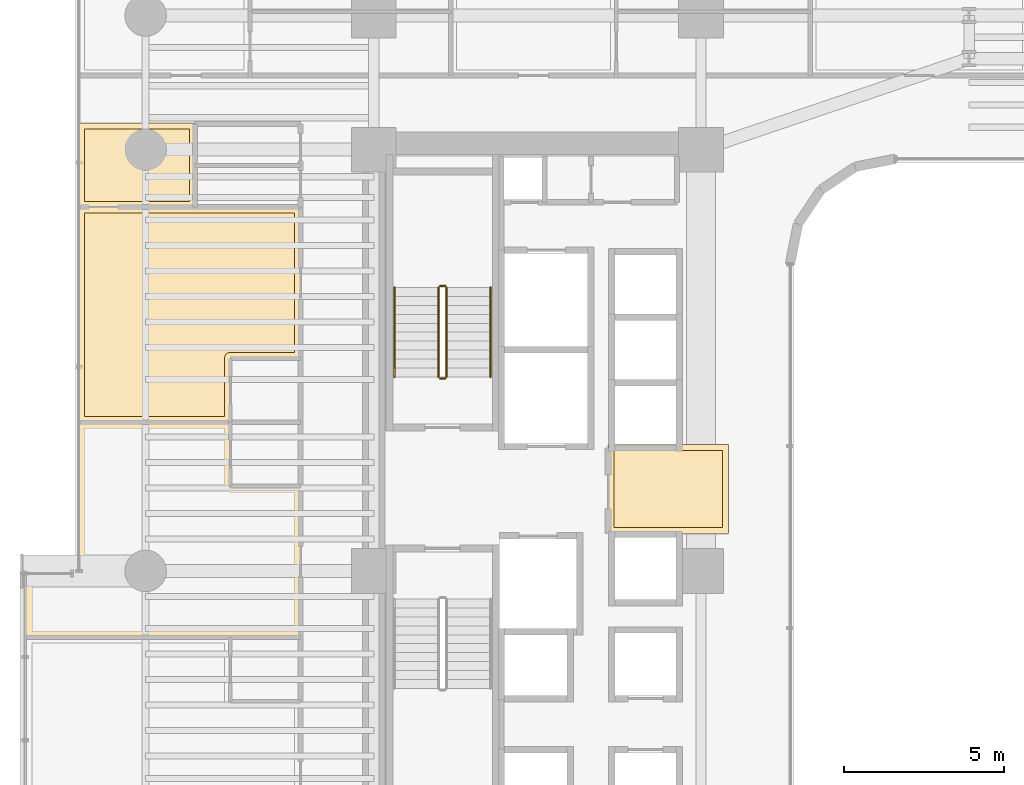
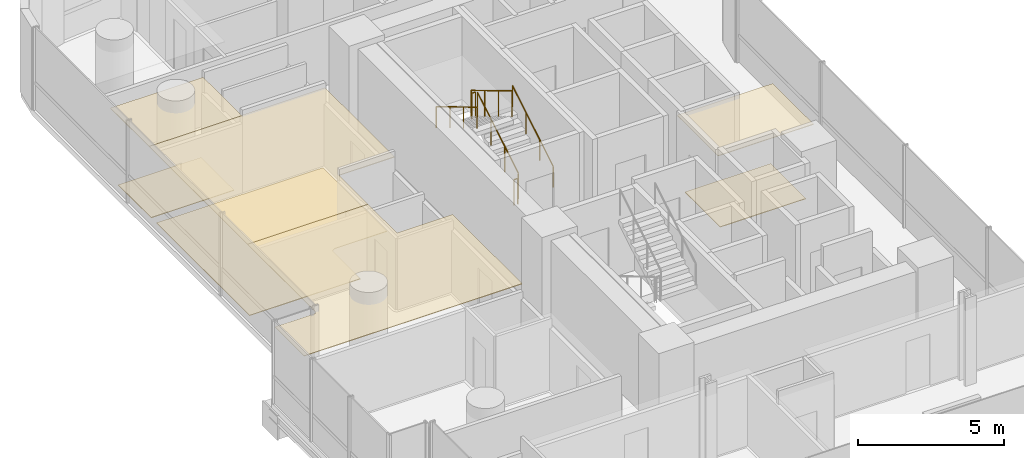
# One storey, part 37 of 41: 7 coverings, 6 railings.
"""IFC4 building model written with IfcOpenShell, lengths in metres."""

from ifc_helpers import new_model, si_unit, direction, frame, origin, origin_2d, place, context, subcontext, project, spatial, polyline, circle, outline, extrude, material, layer, layer_set, type_object, element, save


model = new_model("IFC4")

# Units and contexts
model_context = context("Model", 3, precision=1e-05, world=origin(), true_north=direction((0.0, 1.0)))
body_context = subcontext(model_context, "Body", "Model", "MODEL_VIEW")
ifc_project = project(units=[si_unit("LENGTHUNIT", "METRE"), si_unit("AREAUNIT", "SQUARE_METRE"), si_unit("VOLUMEUNIT", "CUBIC_METRE"), si_unit("PLANEANGLEUNIT", "RADIAN"), si_unit("MASSUNIT", "GRAM", prefix="KILO")], contexts=[model_context])

# Site, building, storey
site_placement = place(None, origin())
site = spatial("IfcSite", under=ifc_project, at=site_placement, CompositionType="ELEMENT")
building_placement = place(site_placement, origin())
building = spatial("IfcBuilding", under=site, at=building_placement, Name="Valdorenza Pilgrim Sanctuary Tower", CompositionType="ELEMENT")
storey_placement = place(building_placement, frame((0.0, 0.0, 59.300048828125)))
storey = spatial("IfcBuildingStorey", under=building, at=storey_placement, Name="L14", CompositionType="ELEMENT", Elevation=59.300048828125)

# Coverings
ifc_material_1 = material(Name="Micro-perforated acoustic mineral ceiling tile", Category="gypsum")
ifc_layer_1 = layer(ifc_material_1, 0.02490234375, Name="Micro-perforated acoustic mineral ceiling tile")
ifc_layer_set_1 = layer_set([ifc_layer_1], Name="Micro-perforated acoustic mineral ceiling tile")
covering_type_1 = type_object("IfcCoveringType", Name="COV-CLG-ACU", PredefinedType="CEILING", material=ifc_layer_set_1)
covering_1_placement = place(storey_placement, frame((0.0, 0.0, 3.159912109375)))
element("IfcCovering", 1, at=covering_1_placement, inside=storey, type_object=covering_type_1, Name="L14 Core A Passenger Lift Lobby Acoustic Ceiling", PredefinedType="CEILING", context=body_context, shape_type="SweptSolid", body=[
    extrude(outline(polyline([(-15.31298828125, 1.244384765625), (-15.31298828125, 1.24462890625), (-15.313720703125, 1.24609375), (-15.314208984375, 1.24755859375), (-15.314697265625, 1.2490234375), (-15.31494140625, 1.25048828125), (-15.31494140625, 1.251953125), (-15.31494140625, 1.35009765625), (-15.31494140625, 1.3515625), (-15.314697265625, 1.352783203125), (-15.314453125, 1.3544921875), (-15.31396484375, 1.355712890625), (-15.313232421875, 1.357177734375), (-15.3125, 1.3583984375), (-15.3115234375, 1.359619140625), (-15.310546875, 1.360595703125), (-15.3095703125, 1.361572265625), (-15.308349609375, 1.362548828125), (-15.30712890625, 1.36328125), (-15.3056640625, 1.364013671875), (-15.304443359375, 1.364501953125), (-15.302978515625, 1.36474609375), (-15.301513671875, 1.364990234375), (-15.300048828125, 1.364990234375), (-15.10205078125, 1.364990234375), (-15.1005859375, 1.364990234375), (-15.09912109375, 1.36474609375), (-15.097412109375, 1.3642578125), (-15.09619140625, 1.36376953125), (-15.0947265625, 1.363037109375), (-15.094482421875, 1.363037109375), (-13.185546875, 1.363037109375), (-13.185302734375, 1.363037109375), (-13.183837890625, 1.36376953125), (-13.1826171875, 1.3642578125), (-13.180908203125, 1.36474609375), (-13.179443359375, 1.364990234375), (-13.177978515625, 1.364990234375), (-11.550048828125, 1.364990234375), (-11.548583984375, 1.364990234375), (-11.547119140625, 1.36474609375), (-11.545654296875, 1.364501953125), (-11.544189453125, 1.364013671875), (-11.54296875, 1.36328125), (-11.541748046875, 1.362548828125), (-11.54052734375, 1.361572265625), (-11.539306640625, 1.360595703125), (-11.538330078125, 1.359619140625), (-11.53759765625, 1.3583984375), (-11.536865234375, 1.357177734375), (-11.5361328125, 1.355712890625), (-11.53564453125, 1.3544921875), (-11.535400390625, 1.352783203125), (-11.53515625, 1.3515625), (-11.534912109375, 1.35009765625), (-11.534912109375, -1.419921875), (-11.53515625, -1.42138671875), (-11.535400390625, -1.4228515625), (-11.53564453125, -1.42431640625), (-11.5361328125, -1.42578125), (-11.536865234375, -1.427001953125), (-11.53759765625, -1.42822265625), (-11.538330078125, -1.429443359375), (-11.539306640625, -1.4306640625), (-11.54052734375, -1.431640625), (-11.541748046875, -1.4326171875), (-11.54296875, -1.43310546875), (-11.544189453125, -1.433837890625), (-11.545654296875, -1.434326171875), (-11.547119140625, -1.434814453125), (-11.548583984375, -1.434814453125), (-11.550048828125, -1.43505859375), (-15.298095703125, -1.43505859375), (-15.299560546875, -1.434814453125), (-15.30078125, -1.434814453125), (-15.302490234375, -1.434326171875), (-15.3037109375, -1.433837890625), (-15.30517578125, -1.43310546875), (-15.306396484375, -1.4326171875), (-15.3076171875, -1.431640625), (-15.30859375, -1.4306640625), (-15.3095703125, -1.429443359375), (-15.310546875, -1.42822265625), (-15.311279296875, -1.427001953125), (-15.31201171875, -1.42578125), (-15.3125, -1.42431640625), (-15.312744140625, -1.4228515625), (-15.31298828125, -1.42138671875), (-15.31298828125, -1.419921875), (-15.31298828125, 1.244384765625)])), origin(), (0.0, 0.0, 1.0), 0.025146484375),
])
covering_2_placement = place(storey_placement, frame((0.0, 0.0, 3.159912109375)))
element("IfcCovering", 2, at=covering_2_placement, inside=storey, type_object=covering_type_1, Name="L14 Pilgrim Scholar Office L14-WN Acoustic Ceiling", PredefinedType="CEILING", context=body_context, shape_type="SweptSolid", body=[
    extrude(outline(polyline([(-28.237060546875, 11.39453125), (-28.237060546875, 10.103759765625), (-28.23681640625, 10.10302734375), (-28.23681640625, 10.1015625), (-28.23681640625, 10.10009765625), (-28.23681640625, 10.098388671875), (-28.237060546875, 10.09814453125), (-28.237060546875, 8.800048828125), (-28.237060546875, 8.798583984375), (-28.2373046875, 8.797119140625), (-28.237548828125, 8.795654296875), (-28.238037109375, 8.794189453125), (-28.23876953125, 8.79296875), (-28.239501953125, 8.791748046875), (-28.240478515625, 8.79052734375), (-28.241455078125, 8.789306640625), (-28.242431640625, 8.788330078125), (-28.24365234375, 8.78759765625), (-28.244873046875, 8.786865234375), (-28.246337890625, 8.7861328125), (-28.24755859375, 8.78564453125), (-28.2490234375, 8.785400390625), (-28.25048828125, 8.78515625), (-28.251953125, 8.784912109375), (-31.889892578125, 8.784912109375), (-31.8916015625, 8.78515625), (-31.892822265625, 8.785400390625), (-31.894287109375, 8.78564453125), (-31.895751953125, 8.7861328125), (-31.897216796875, 8.786865234375), (-31.898193359375, 8.78759765625), (-31.8994140625, 8.788330078125), (-31.900634765625, 8.789306640625), (-31.901611328125, 8.79052734375), (-31.902587890625, 8.791748046875), (-31.9033203125, 8.79296875), (-31.90380859375, 8.794189453125), (-31.904296875, 8.795654296875), (-31.90478515625, 8.797119140625), (-31.90478515625, 8.798583984375), (-31.905029296875, 8.800048828125), (-31.905029296875, 11.419921875), (-31.90478515625, 11.42138671875), (-31.90478515625, 11.4228515625), (-31.904296875, 11.42431640625), (-31.90380859375, 11.42578125), (-31.9033203125, 11.427001953125), (-31.902587890625, 11.42822265625), (-31.901611328125, 11.429443359375), (-31.900634765625, 11.4306640625), (-31.8994140625, 11.431640625), (-31.898193359375, 11.4326171875), (-31.897216796875, 11.43310546875), (-31.895751953125, 11.433837890625), (-31.894287109375, 11.434326171875), (-31.892822265625, 11.434814453125), (-31.8916015625, 11.434814453125), (-31.889892578125, 11.43505859375), (-28.25, 11.43505859375), (-28.24853515625, 11.434814453125), (-28.2470703125, 11.434814453125), (-28.24560546875, 11.434326171875), (-28.244384765625, 11.433837890625), (-28.242919921875, 11.43310546875), (-28.24169921875, 11.4326171875), (-28.240478515625, 11.431640625), (-28.239501953125, 11.4306640625), (-28.23828125, 11.429443359375), (-28.237548828125, 11.42822265625), (-28.23681640625, 11.427001953125), (-28.236083984375, 11.42578125), (-28.235595703125, 11.42431640625), (-28.2353515625, 11.4228515625), (-28.235107421875, 11.42138671875), (-28.235107421875, 11.419921875), (-28.235107421875, 11.402099609375), (-28.235107421875, 11.400390625), (-28.2353515625, 11.39892578125), (-28.235595703125, 11.3974609375), (-28.236083984375, 11.39599609375), (-28.23681640625, 11.394775390625), (-28.237060546875, 11.39453125)])), origin(), (0.0, 0.0, 1.0), 0.025146484375),
])
covering_3_placement = place(storey_placement, frame((0.0, 0.0, 3.159912109375)))
element("IfcCovering", 3, at=covering_3_placement, inside=storey, type_object=covering_type_1, Name="L14 Sanctuary Guest Room L14-W2 Acoustic Ceiling", PredefinedType="CEILING", context=body_context, shape_type="SweptSolid", body=[
    extrude(outline(polyline([(-33.554931640625, -2.7099609375), (-33.554931640625, -2.70849609375), (-33.5546875, -2.70703125), (-33.554443359375, -2.70556640625), (-33.553955078125, -2.704345703125), (-33.55322265625, -2.702880859375), (-33.552490234375, -2.70166015625), (-33.551513671875, -2.700439453125), (-33.550537109375, -2.699462890625), (-33.549560546875, -2.698486328125), (-33.54833984375, -2.697509765625), (-33.547119140625, -2.69677734375), (-33.545654296875, -2.696044921875), (-33.54443359375, -2.695556640625), (-33.54296875, -2.6953125), (-33.54150390625, -2.695068359375), (-33.5400390625, -2.695068359375), (-32.00048828125, -2.695068359375), (-31.99072265625, -2.694580078125), (-31.9814453125, -2.693115234375), (-31.972412109375, -2.69091796875), (-31.963623046875, -2.687744140625), (-31.955078125, -2.683837890625), (-31.947265625, -2.678955078125), (-31.939697265625, -2.67333984375), (-31.932861328125, -2.667236328125), (-31.926513671875, -2.660400390625), (-31.9208984375, -2.65283203125), (-31.916259765625, -2.644775390625), (-31.912109375, -2.63623046875), (-31.9091796875, -2.627685546875), (-31.90673828125, -2.618408203125), (-31.905517578125, -2.609375), (-31.905029296875, -2.599609375), (-31.905029296875, 2.06005859375), (-31.90478515625, 2.0615234375), (-31.90478515625, 2.06298828125), (-31.904296875, 2.064453125), (-31.90380859375, 2.065673828125), (-31.9033203125, 2.067138671875), (-31.902587890625, 2.068359375), (-31.901611328125, 2.069580078125), (-31.900634765625, 2.070556640625), (-31.8994140625, 2.071533203125), (-31.898193359375, 2.072509765625), (-31.897216796875, 2.0732421875), (-31.895751953125, 2.073974609375), (-31.894287109375, 2.074462890625), (-31.892822265625, 2.07470703125), (-31.8916015625, 2.074951171875), (-31.889892578125, 2.074951171875), (-27.152099609375, 2.074951171875), (-27.150390625, 2.074951171875), (-27.149169921875, 2.07470703125), (-27.147705078125, 2.074462890625), (-27.146240234375, 2.073974609375), (-27.14501953125, 2.0732421875), (-27.143798828125, 2.072509765625), (-27.142578125, 2.071533203125), (-27.141357421875, 2.070556640625), (-27.140380859375, 2.069580078125), (-27.139404296875, 2.068359375), (-27.138916015625, 2.067138671875), (-27.13818359375, 2.065673828125), (-27.1376953125, 2.064453125), (-27.13720703125, 2.06298828125), (-27.13720703125, 2.0615234375), (-27.136962890625, 2.06005859375), (-27.136962890625, 0.072998046875), (-24.949951171875, 0.072998046875), (-24.948486328125, 0.072998046875), (-24.947021484375, 0.07275390625), (-24.945556640625, 0.072509765625), (-24.9443359375, 0.072021484375), (-24.94287109375, 0.0712890625), (-24.941650390625, 0.070556640625), (-24.9404296875, 0.069580078125), (-24.939453125, 0.068603515625), (-24.9384765625, 0.0673828125), (-24.9375, 0.06640625), (-24.936767578125, 0.065185546875), (-24.93603515625, 0.063720703125), (-24.935546875, 0.0625), (-24.935302734375, 0.060791015625), (-24.93505859375, 0.0595703125), (-24.93505859375, 0.05810546875), (-24.93505859375, -4.677978515625), (-24.93505859375, -4.679443359375), (-24.935302734375, -4.680908203125), (-24.935546875, -4.682373046875), (-24.93603515625, -4.68359375), (-24.936767578125, -4.68505859375), (-24.9375, -4.686279296875), (-24.9384765625, -4.6875), (-24.939453125, -4.688720703125), (-24.9404296875, -4.689697265625), (-24.941650390625, -4.6904296875), (-24.94287109375, -4.691162109375), (-24.9443359375, -4.69189453125), (-24.945556640625, -4.6923828125), (-24.947021484375, -4.692626953125), (-24.948486328125, -4.69287109375), (-24.949951171875, -4.693115234375), (-27.148193359375, -4.693115234375), (-27.14892578125, -4.693115234375), (-27.150390625, -4.693359375), (-27.152099609375, -4.693115234375), (-27.153564453125, -4.693115234375), (-27.15380859375, -4.693115234375), (-33.5400390625, -4.693115234375), (-33.54150390625, -4.69287109375), (-33.54296875, -4.692626953125), (-33.54443359375, -4.6923828125), (-33.545654296875, -4.69189453125), (-33.547119140625, -4.691162109375), (-33.54833984375, -4.6904296875), (-33.549560546875, -4.689697265625), (-33.550537109375, -4.688720703125), (-33.551513671875, -4.6875), (-33.552490234375, -4.686279296875), (-33.55322265625, -4.68505859375), (-33.553955078125, -4.68359375), (-33.554443359375, -4.682373046875), (-33.5546875, -4.680908203125), (-33.554931640625, -4.679443359375), (-33.554931640625, -4.677978515625), (-33.554931640625, -2.7099609375)])), origin(), (0.0, 0.0, 1.0), 0.025146484375),
])
covering_4_placement = place(storey_placement, frame((0.0, 0.0, 3.159912109375)))
element("IfcCovering", 4, at=covering_4_placement, inside=storey, type_object=covering_type_1, Name="L14 Sanctuary Guest Room L14-W3 Acoustic Ceiling", PredefinedType="CEILING", context=body_context, shape_type="SweptSolid", body=[
    extrude(outline(polyline([(-28.253662109375, 8.81298828125), (-28.253173828125, 8.81298828125), (-28.25146484375, 8.813232421875), (-28.25, 8.813232421875), (-28.24853515625, 8.81298828125), (-28.248291015625, 8.81298828125), (-24.949951171875, 8.81298828125), (-24.948486328125, 8.81298828125), (-24.947021484375, 8.812744140625), (-24.945556640625, 8.8125), (-24.9443359375, 8.81201171875), (-24.94287109375, 8.811279296875), (-24.941650390625, 8.810546875), (-24.9404296875, 8.8095703125), (-24.939453125, 8.80859375), (-24.9384765625, 8.8076171875), (-24.9375, 8.806396484375), (-24.936767578125, 8.80517578125), (-24.93603515625, 8.8037109375), (-24.935546875, 8.802490234375), (-24.935302734375, 8.80078125), (-24.93505859375, 8.799560546875), (-24.93505859375, 8.798095703125), (-24.93505859375, 4.06201171875), (-24.93505859375, 4.060546875), (-24.935302734375, 4.05908203125), (-24.935546875, 4.0576171875), (-24.93603515625, 4.056396484375), (-24.936767578125, 4.054931640625), (-24.9375, 4.0537109375), (-24.9384765625, 4.052490234375), (-24.939453125, 4.051513671875), (-24.9404296875, 4.05029296875), (-24.941650390625, 4.049560546875), (-24.94287109375, 4.048828125), (-24.9443359375, 4.048095703125), (-24.945556640625, 4.047607421875), (-24.947021484375, 4.04736328125), (-24.948486328125, 4.047119140625), (-24.949951171875, 4.047119140625), (-27.136962890625, 4.047119140625), (-27.136962890625, 2.06201171875), (-27.13720703125, 2.060546875), (-27.13720703125, 2.05908203125), (-27.1376953125, 2.0576171875), (-27.13818359375, 2.056396484375), (-27.138916015625, 2.054931640625), (-27.139404296875, 2.0537109375), (-27.140380859375, 2.052490234375), (-27.141357421875, 2.051513671875), (-27.142578125, 2.05029296875), (-27.143798828125, 2.049560546875), (-27.14501953125, 2.048828125), (-27.146240234375, 2.048095703125), (-27.147705078125, 2.047607421875), (-27.149169921875, 2.04736328125), (-27.150390625, 2.047119140625), (-27.152099609375, 2.047119140625), (-31.889892578125, 2.047119140625), (-31.8916015625, 2.047119140625), (-31.892822265625, 2.04736328125), (-31.894287109375, 2.047607421875), (-31.895751953125, 2.048095703125), (-31.897216796875, 2.048828125), (-31.898193359375, 2.049560546875), (-31.8994140625, 2.05029296875), (-31.900634765625, 2.051513671875), (-31.901611328125, 2.052490234375), (-31.902587890625, 2.0537109375), (-31.9033203125, 2.054931640625), (-31.90380859375, 2.056396484375), (-31.904296875, 2.0576171875), (-31.90478515625, 2.05908203125), (-31.90478515625, 2.060546875), (-31.905029296875, 2.06201171875), (-31.905029296875, 8.798095703125), (-31.90478515625, 8.799560546875), (-31.90478515625, 8.80078125), (-31.904296875, 8.802490234375), (-31.90380859375, 8.8037109375), (-31.9033203125, 8.80517578125), (-31.902587890625, 8.806396484375), (-31.901611328125, 8.8076171875), (-31.900634765625, 8.80859375), (-31.8994140625, 8.8095703125), (-31.898193359375, 8.810546875), (-31.897216796875, 8.811279296875), (-31.895751953125, 8.81201171875), (-31.894287109375, 8.8125), (-31.892822265625, 8.812744140625), (-31.8916015625, 8.81298828125), (-31.889892578125, 8.81298828125), (-28.253662109375, 8.81298828125)])), origin(), (0.0, 0.0, 1.0), 0.025146484375),
])
ifc_material_2 = material(Name="Engineered European oak timber flooring", Category="wood")
ifc_layer_2 = layer(ifc_material_2, 0.02197265625, Name="Engineered European oak timber flooring")
ifc_layer_set_2 = layer_set([ifc_layer_2], Name="Engineered European oak timber flooring")
covering_type_2 = type_object("IfcCoveringType", Name="COV-FLR-OAK", PredefinedType="FLOORING", material=ifc_layer_set_2)
covering_5_placement = place(storey_placement, origin())
element("IfcCovering", 5, at=covering_5_placement, inside=storey, type_object=covering_type_2, Name="L14 Sanctuary Guest Room L14-W3 Flooring", PredefinedType="FLOORING", context=body_context, shape_type="SweptSolid", body=[
    extrude(outline(polyline([(-28.250244140625, 8.617919921875), (-28.25, 8.617919921875), (-25.1298828125, 8.617919921875), (-25.1298828125, 4.241943359375), (-27.14990234375, 4.241943359375), (-27.15869140625, 4.24169921875), (-27.158935546875, 4.24169921875), (-27.176513671875, 4.239990234375), (-27.1767578125, 4.239990234375), (-27.194091796875, 4.236572265625), (-27.1943359375, 4.236572265625), (-27.211181640625, 4.2314453125), (-27.21142578125, 4.231201171875), (-27.227783203125, 4.224609375), (-27.227783203125, 4.224609375), (-27.243408203125, 4.21630859375), (-27.24365234375, 4.216064453125), (-27.25830078125, 4.206298828125), (-27.258544921875, 4.2060546875), (-27.272216796875, 4.19482421875), (-27.272216796875, 4.19482421875), (-27.284912109375, 4.182373046875), (-27.284912109375, 4.18212890625), (-27.296142578125, 4.16845703125), (-27.296142578125, 4.168212890625), (-27.30615234375, 4.153564453125), (-27.30615234375, 4.153564453125), (-27.314453125, 4.137939453125), (-27.314697265625, 4.1376953125), (-27.3212890625, 4.121337890625), (-27.3212890625, 4.12109375), (-27.326416015625, 4.104248046875), (-27.32666015625, 4.10400390625), (-27.330078125, 4.0869140625), (-27.330078125, 4.086669921875), (-27.331787109375, 4.069091796875), (-27.331787109375, 4.06884765625), (-27.33203125, 4.06005859375), (-27.33203125, 2.241943359375), (-31.7099609375, 2.241943359375), (-31.7099609375, 8.617919921875), (-28.251953125, 8.617919921875), (-28.2509765625, 8.617919921875), (-28.250244140625, 8.617919921875)])), origin(), (0.0, 0.0, 1.0), 0.02490234375),
])
ifc_material_3 = material(Name="Honed travertine stone flooring", Category="masonry")
ifc_layer_3 = layer(ifc_material_3, 0.030029296875, Name="Honed travertine stone flooring")
ifc_layer_set_3 = layer_set([ifc_layer_3], Name="Honed travertine stone flooring")
covering_type_3 = type_object("IfcCoveringType", Name="COV-FLR-TRV", PredefinedType="FLOORING", material=ifc_layer_set_3)
covering_6_placement = place(storey_placement, origin())
element("IfcCovering", 6, at=covering_6_placement, inside=storey, type_object=covering_type_3, Name="L14 Core A Passenger Lift Lobby Flooring", PredefinedType="FLOORING", context=body_context, shape_type="SweptSolid", body=[
    extrude(outline(polyline([(-15.117919921875, 1.169189453125), (-15.10888671875, 1.168212890625), (-15.10888671875, 1.168212890625), (-15.10009765625, 1.16796875), (-13.179931640625, 1.16796875), (-13.1796875, 1.16796875), (-11.72998046875, 1.169921875), (-11.72998046875, -1.239990234375), (-15.117919921875, -1.239990234375), (-15.117919921875, 1.169189453125)])), origin(), (0.0, 0.0, 1.0), 0.02490234375),
])
covering_7_placement = place(storey_placement, origin())
element("IfcCovering", 7, at=covering_7_placement, inside=storey, type_object=covering_type_3, Name="L14 Pilgrim Scholar Office L14-WN Flooring", PredefinedType="FLOORING", context=body_context, shape_type="SweptSolid", body=[
    extrude(outline(polyline([(-28.431884765625, 11.239990234375), (-28.431884765625, 10.10205078125), (-28.431884765625, 10.10107421875), (-28.431884765625, 10.100341796875), (-28.431884765625, 10.10009765625), (-28.431884765625, 8.97998046875), (-31.7099609375, 8.97998046875), (-31.7099609375, 11.239990234375), (-28.431884765625, 11.239990234375)])), origin(), (0.0, 0.0, 1.0), 0.02490234375),
])

# Railings
ifc_material_4 = material(Name="Stainless steel Grade 316", Category="steel")
railing_type_1 = type_object("IfcRailingType", Name="RLG-GRD-1120", PredefinedType="GUARDRAIL", material=ifc_material_4)
railing_1_placement = place(storey_placement, frame((-20.3701171875, 3.47998046875, 0.168212890625)))
element("IfcRailing", 8, at=railing_1_placement, inside=storey, type_object=railing_type_1, Name="L14 ST-A1 stair guard 1", PredefinedType="GUARDRAIL", context=body_context, shape_type="SweptSolid", body=[
    extrude(circle(Radius=0.02392578125, at=origin_2d()), frame((0.0, 0.0, 1.076171875), z_axis=(0.0, 0.857275202839, 0.514858452973), x_axis=(-1.0, 0.0, 0.0)), (0.0, 0.0, 1.0), 3.26611328125),
    extrude(circle(Radius=0.02099609375, at=origin_2d()), origin(), (0.0, 0.0, 1.0), 1.052001953125),
    extrude(circle(Radius=0.02099609375, at=origin_2d()), frame((0.0, 0.933349609375, 0.560546875)), (0.0, 0.0, 1.0), 1.052001953125),
    extrude(circle(Radius=0.02099609375, at=origin_2d()), frame((0.0, 1.86669921875, 1.12109375)), (0.0, 0.0, 1.0), 1.052001953125),
    extrude(circle(Radius=0.02099609375, at=origin_2d()), frame((0.0, 2.800048828125, 1.681640625)), (0.0, 0.0, 1.0), 1.052001953125),
])
railing_2_placement = place(storey_placement, frame((-20.419921875, 6.330078125, 1.849853515625)))
element("IfcRailing", 9, at=railing_2_placement, inside=storey, type_object=railing_type_1, Name="L14 ST-A1 stair guard 2", PredefinedType="GUARDRAIL", context=body_context, shape_type="SweptSolid", body=[
    extrude(circle(Radius=0.02392578125, at=origin_2d()), frame((0.0, 0.0, 1.076171875), z_axis=(-1.0, 0.0, 0.0), x_axis=(0.0, -1.0, 0.0)), (0.0, 0.0, 1.0), 0.150146484375),
    extrude(circle(Radius=0.02099609375, at=origin_2d()), origin(), (0.0, 0.0, 1.0), 1.052001953125),
    extrude(circle(Radius=0.02099609375, at=origin_2d()), frame((-0.150146484375, 0.0, 0.0)), (0.0, 0.0, 1.0), 1.052001953125),
])
railing_3_placement = place(storey_placement, frame((-20.6201171875, 6.280029296875, 2.01806640625)))
element("IfcRailing", 10, at=railing_3_placement, inside=storey, type_object=railing_type_1, Name="L14 ST-A1 stair guard 3", PredefinedType="GUARDRAIL", context=body_context, shape_type="SweptSolid", body=[
    extrude(circle(Radius=0.02392578125, at=origin_2d()), frame((0.0, 0.0, 1.076171875), z_axis=(0.0, -0.857242210791, 0.514913383045), x_axis=(1.0, 0.0, 0.0)), (0.0, 0.0, 1.0), 3.266357421875),
    extrude(circle(Radius=0.02099609375, at=origin_2d()), origin(), (0.0, 0.0, 1.0), 1.052001953125),
    extrude(circle(Radius=0.02099609375, at=origin_2d()), frame((0.0, -0.933349609375, 0.560546875)), (0.0, 0.0, 1.0), 1.052001953125),
    extrude(circle(Radius=0.02099609375, at=origin_2d()), frame((0.0, -1.86669921875, 1.121337890625)), (0.0, 0.0, 1.0), 1.052001953125),
    extrude(circle(Radius=0.02099609375, at=origin_2d()), frame((0.0, -2.800048828125, 1.681884765625)), (0.0, 0.0, 1.0), 1.052001953125),
])
railing_4_placement = place(storey_placement, frame((-20.419921875, 3.429931640625, 0.0)))
element("IfcRailing", 11, at=railing_4_placement, inside=storey, type_object=railing_type_1, Name="L14 ST-A1 stair guard 4", PredefinedType="GUARDRAIL", context=body_context, shape_type="SweptSolid", body=[
    extrude(circle(Radius=0.02392578125, at=origin_2d()), frame((0.0, 0.0, 1.076171875), z_axis=(-1.0, 0.0, 0.0), x_axis=(0.0, -1.0, 0.0)), (0.0, 0.0, 1.0), 0.150146484375),
    extrude(circle(Radius=0.02099609375, at=origin_2d()), origin(), (0.0, 0.0, 1.0), 1.052001953125),
    extrude(circle(Radius=0.02099609375, at=origin_2d()), frame((-0.150146484375, 0.0, 0.0)), (0.0, 0.0, 1.0), 1.052001953125),
])
ifc_material_5 = material(Name="Brushed stainless steel Grade 316", Category="steel")
railing_type_2 = type_object("IfcRailingType", Name="RLG-HND-920", PredefinedType="HANDRAIL", material=ifc_material_5)
railing_5_placement = place(storey_placement, frame((-18.989990234375, 3.47998046875, 0.168212890625)))
element("IfcRailing", 12, at=railing_5_placement, inside=storey, type_object=railing_type_2, Name="L14 ST-A1 stair handrail 1", PredefinedType="HANDRAIL", context=body_context, shape_type="SweptSolid", body=[
    extrude(circle(Radius=0.02392578125, at=origin_2d()), frame((0.0, 0.0, 0.8759765625), z_axis=(0.0, 0.857275202839, 0.514858452973), x_axis=(-1.0, 0.0, 0.0)), (0.0, 0.0, 1.0), 3.26611328125),
    extrude(circle(Radius=0.02099609375, at=origin_2d()), origin(), (0.0, 0.0, 1.0), 0.851806640625),
    extrude(circle(Radius=0.02099609375, at=origin_2d()), frame((0.0, 0.933349609375, 0.560546875)), (0.0, 0.0, 1.0), 0.851806640625),
    extrude(circle(Radius=0.02099609375, at=origin_2d()), frame((0.0, 1.86669921875, 1.12109375)), (0.0, 0.0, 1.0), 0.851806640625),
    extrude(circle(Radius=0.02099609375, at=origin_2d()), frame((0.0, 2.800048828125, 1.681640625)), (0.0, 0.0, 1.0), 0.851806640625),
])
railing_6_placement = place(storey_placement, frame((-22.0, 6.280029296875, 2.01806640625)))
element("IfcRailing", 13, at=railing_6_placement, inside=storey, type_object=railing_type_2, Name="L14 ST-A1 stair handrail 2", PredefinedType="HANDRAIL", context=body_context, shape_type="SweptSolid", body=[
    extrude(circle(Radius=0.02392578125, at=origin_2d()), frame((0.0, 0.0, 0.8759765625), z_axis=(0.0, -0.857242210791, 0.514913383045), x_axis=(1.0, 0.0, 0.0)), (0.0, 0.0, 1.0), 3.266357421875),
    extrude(circle(Radius=0.02099609375, at=origin_2d()), origin(), (0.0, 0.0, 1.0), 0.851806640625),
    extrude(circle(Radius=0.02099609375, at=origin_2d()), frame((0.0, -0.933349609375, 0.560546875)), (0.0, 0.0, 1.0), 0.851806640625),
    extrude(circle(Radius=0.02099609375, at=origin_2d()), frame((0.0, -1.86669921875, 1.121337890625)), (0.0, 0.0, 1.0), 0.851806640625),
    extrude(circle(Radius=0.02099609375, at=origin_2d()), frame((0.0, -2.800048828125, 1.681884765625)), (0.0, 0.0, 1.0), 0.851806640625),
])

save(model, "model.ifc")
